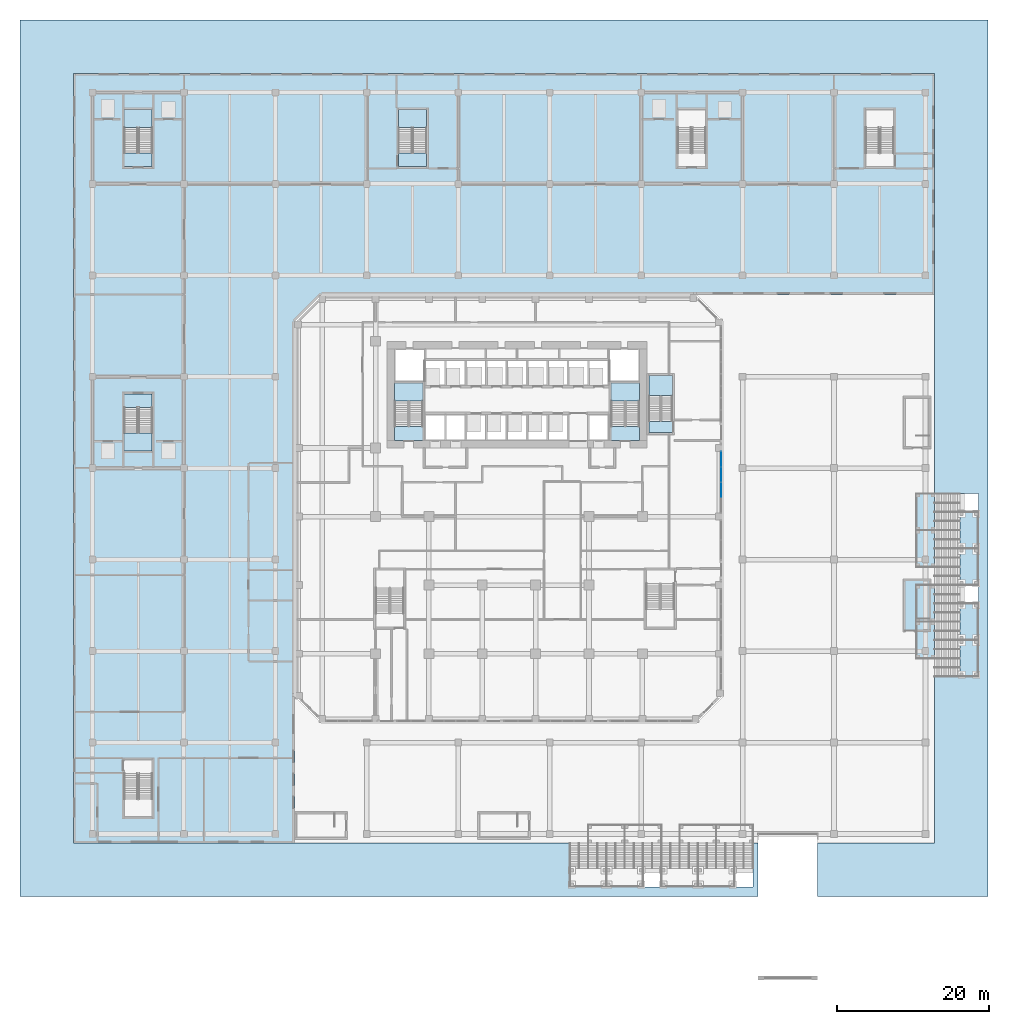
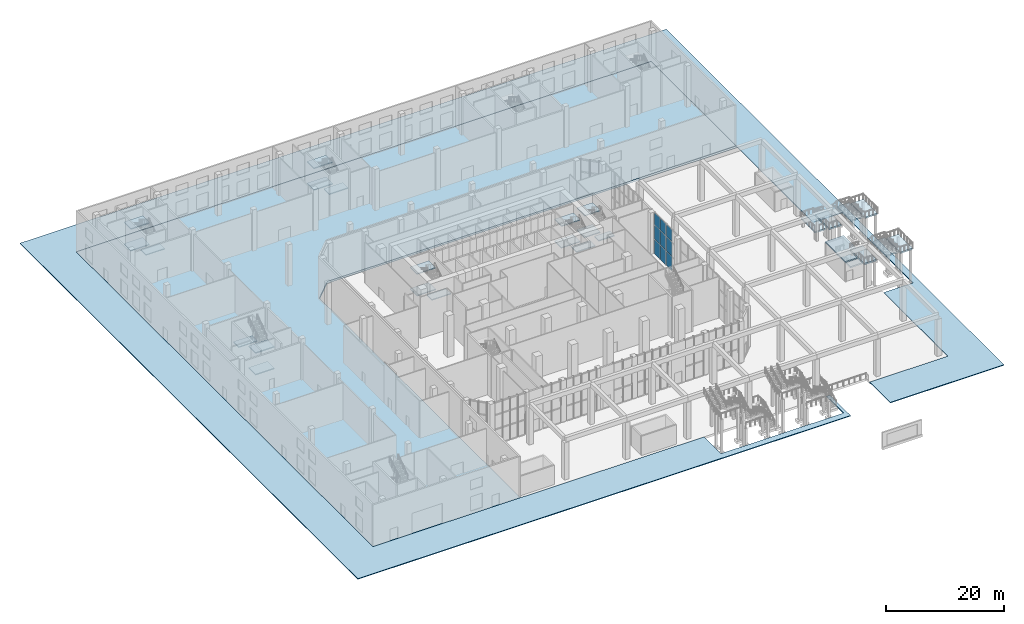
# One storey, part 16 of 43: 29 slabs, 9 plates, 10 elements without a shape of their own.
"""IFC4 building model written with IfcOpenShell, lengths in metres."""

from ifc_helpers import new_model, si_unit, direction, frame, origin, origin_2d, place, context, subcontext, project, spatial, polyline, rectangle, outline, extrude, source, transform, mapped, material, layer, layer_set, type_object, element, aggregate, save


model = new_model("IFC4")

# Units and contexts
model_context = context("Model", 3, precision=1e-05, world=origin(), true_north=direction((0.0, 1.0)))
body_context = subcontext(model_context, "Body", "Model", "MODEL_VIEW")
ifc_project = project(units=[si_unit("LENGTHUNIT", "METRE"), si_unit("AREAUNIT", "SQUARE_METRE"), si_unit("VOLUMEUNIT", "CUBIC_METRE"), si_unit("PLANEANGLEUNIT", "RADIAN"), si_unit("MASSUNIT", "GRAM", prefix="KILO")], contexts=[model_context])

# Site, building, storey
site_placement = place(None, origin())
site = spatial("IfcSite", under=ifc_project, at=site_placement, CompositionType="ELEMENT")
building_placement = place(site_placement, origin())
building = spatial("IfcBuilding", under=site, at=building_placement, Name="Kilnfold Tower and Market Hall", CompositionType="ELEMENT")
storey_placement = place(building_placement, origin())
storey = spatial("IfcBuildingStorey", under=building, at=storey_placement, Name="L00", CompositionType="ELEMENT", Elevation=0.0)

# Slab
ifc_material_1 = material(Name="Concrete C40/50", Category="concrete")
ifc_layer_1 = layer(ifc_material_1, 0.409912109375)
ifc_layer_set_1 = layer_set([ifc_layer_1], Name="Concrete C40/50")
slab_type_1 = type_object("IfcSlabType", Name="HALL SLAB 410", PredefinedType="FLOOR", material=ifc_layer_set_1)
shared_shape_1 = source(origin(), body_context, "Body", "SweptSolid", [
    extrude(outline(polyline([(-28.14990234375, -43.85009765625), (-57.14990234375, -43.85009765625), (-57.14990234375, 57.14990234375), (55.85009765625, 57.14990234375), (55.85009765625, 28.14990234375), (24.56201171875, 28.14990234375), (-24.56201171875, 28.14990234375), (-28.14990234375, 24.56201171875), (-28.14990234375, -24.56201171875), (-28.14990234375, -43.85009765625)])), origin(), (0.0, 0.0, 1.0), 0.409912109375),
])
slab_1_placement = place(storey_placement, frame((0.0, 0.0, -0.409912109375)))
element("IfcSlab", 1, at=slab_1_placement, inside=storey, type_object=slab_type_1, Name="Floor slab L00", PredefinedType="FLOOR", context=body_context, shape_type="MappedRepresentation", body=[
    mapped(shared_shape_1, transform((0.0, 0.0, 0.0))),
])

# Stair, slabs
ifc_material_2 = material(Name="Concrete C40/50", Category="concrete")
stair_type_1 = type_object("IfcStairType", Name="GARDEN STAIR 2400", PredefinedType="USERDEFINED", material=ifc_material_2)
stair_1_placement = place(storey_placement, origin())
stair_1 = element("IfcStair", 2, at=stair_1_placement, inside=storey, type_object=stair_type_1, Name="Garden stair GS-E1", ObjectType="GARDEN STAIR", PredefinedType="USERDEFINED")
ifc_material_3 = material(Name="Concrete C40/50", Category="concrete")
ifc_layer_2 = layer(ifc_material_3, 0.300048828125)
ifc_layer_set_2 = layer_set([ifc_layer_2], Name="Concrete C40/50")
slab_type_2 = type_object("IfcSlabType", Name="GARDEN STAIR LANDING 300", PredefinedType="LANDING", material=ifc_layer_set_2)
shared_shape_2 = source(origin(), body_context, "Body", "SweptSolid", [
    extrude(outline(polyline([(59.14990234375, -22.0), (59.14990234375, -17.199951171875), (61.550048828125, -17.199951171875), (61.550048828125, -22.0), (59.14990234375, -22.0)])), origin(), (0.0, 0.0, 1.0), 0.300048828125),
])
slab_2_placement = place(storey_placement, frame((0.0, 0.0, 6.89990234375)))
slab_2 = element("IfcSlab", 3, at=slab_2_placement, type_object=slab_type_2, Name="GS-E1 landing 1", PredefinedType="LANDING", context=body_context, shape_type="MappedRepresentation", body=[
    mapped(shared_shape_2, transform((0.0, 0.0, 0.0))),
])
shared_shape_3 = source(origin(), body_context, "Body", "SweptSolid", [
    extrude(outline(polyline([(53.449951171875, -19.60009765625), (53.449951171875, -14.800048828125), (55.85009765625, -14.800048828125), (55.85009765625, -19.60009765625), (53.449951171875, -19.60009765625)])), origin(), (0.0, 0.0, 1.0), 0.2998046875),
])
slab_3_placement = place(storey_placement, frame((0.0, 0.0, 5.10009765625)))
slab_3 = element("IfcSlab", 4, at=slab_3_placement, type_object=slab_type_2, Name="GS-E1 landing 2", PredefinedType="LANDING", context=body_context, shape_type="MappedRepresentation", body=[
    mapped(shared_shape_3, transform((0.0, 0.0, 0.0))),
])
shared_shape_4 = source(origin(), body_context, "Body", "SweptSolid", [
    extrude(outline(polyline([(59.14990234375, -17.199951171875), (59.14990234375, -12.39990234375), (61.550048828125, -12.39990234375), (61.550048828125, -17.199951171875), (59.14990234375, -17.199951171875)])), origin(), (0.0, 0.0, 1.0), 0.300048828125),
])
slab_4_placement = place(storey_placement, frame((0.0, 0.0, 3.300048828125)))
slab_4 = element("IfcSlab", 5, at=slab_4_placement, type_object=slab_type_2, Name="GS-E1 landing 3", PredefinedType="LANDING", context=body_context, shape_type="MappedRepresentation", body=[
    mapped(shared_shape_4, transform((0.0, 0.0, 0.0))),
])
shared_shape_5 = source(origin(), body_context, "Body", "SweptSolid", [
    extrude(outline(polyline([(53.449951171875, -14.800048828125), (53.449951171875, -10.0), (55.85009765625, -10.0), (55.85009765625, -14.800048828125), (53.449951171875, -14.800048828125)])), origin(), (0.0, 0.0, 1.0), 0.300048828125),
])
slab_5_placement = place(storey_placement, frame((0.0, 0.0, 1.5)))
slab_5 = element("IfcSlab", 6, at=slab_5_placement, type_object=slab_type_2, Name="GS-E1 landing 4", PredefinedType="LANDING", context=body_context, shape_type="MappedRepresentation", body=[
    mapped(shared_shape_5, transform((0.0, 0.0, 0.0))),
])
aggregate(stair_1, [slab_2, slab_3, slab_4, slab_5])

stair_2_placement = place(storey_placement, origin())
stair_2 = element("IfcStair", 7, at=stair_2_placement, inside=storey, type_object=stair_type_1, Name="Garden stair GS-E2", ObjectType="GARDEN STAIR", PredefinedType="USERDEFINED")
shared_shape_6 = source(origin(), body_context, "Body", "SweptSolid", [
    extrude(outline(polyline([(59.14990234375, -10.0), (59.14990234375, -5.199951171875), (61.550048828125, -5.199951171875), (61.550048828125, -10.0), (59.14990234375, -10.0)])), origin(), (0.0, 0.0, 1.0), 0.300048828125),
])
slab_6_placement = place(storey_placement, frame((0.0, 0.0, 6.89990234375)))
slab_6 = element("IfcSlab", 8, at=slab_6_placement, type_object=slab_type_2, Name="GS-E2 landing 1", PredefinedType="LANDING", context=body_context, shape_type="MappedRepresentation", body=[
    mapped(shared_shape_6, transform((0.0, 0.0, 0.0))),
])
shared_shape_7 = source(origin(), body_context, "Body", "SweptSolid", [
    extrude(outline(polyline([(53.449951171875, -7.60009765625), (53.449951171875, -2.800048828125), (55.85009765625, -2.800048828125), (55.85009765625, -7.60009765625), (53.449951171875, -7.60009765625)])), origin(), (0.0, 0.0, 1.0), 0.2998046875),
])
slab_7_placement = place(storey_placement, frame((0.0, 0.0, 5.10009765625)))
slab_7 = element("IfcSlab", 9, at=slab_7_placement, type_object=slab_type_2, Name="GS-E2 landing 2", PredefinedType="LANDING", context=body_context, shape_type="MappedRepresentation", body=[
    mapped(shared_shape_7, transform((0.0, 0.0, 0.0))),
])
shared_shape_8 = source(origin(), body_context, "Body", "SweptSolid", [
    extrude(outline(polyline([(59.14990234375, -5.199951171875), (59.14990234375, -0.39990234375), (61.550048828125, -0.39990234375), (61.550048828125, -5.199951171875), (59.14990234375, -5.199951171875)])), origin(), (0.0, 0.0, 1.0), 0.300048828125),
])
slab_8_placement = place(storey_placement, frame((0.0, 0.0, 3.300048828125)))
slab_8 = element("IfcSlab", 10, at=slab_8_placement, type_object=slab_type_2, Name="GS-E2 landing 3", PredefinedType="LANDING", context=body_context, shape_type="MappedRepresentation", body=[
    mapped(shared_shape_8, transform((0.0, 0.0, 0.0))),
])
shared_shape_9 = source(origin(), body_context, "Body", "SweptSolid", [
    extrude(outline(polyline([(53.449951171875, -2.800048828125), (53.449951171875, 2.0), (55.85009765625, 2.0), (55.85009765625, -2.800048828125), (53.449951171875, -2.800048828125)])), origin(), (0.0, 0.0, 1.0), 0.300048828125),
])
slab_9_placement = place(storey_placement, frame((0.0, 0.0, 1.5)))
slab_9 = element("IfcSlab", 11, at=slab_9_placement, type_object=slab_type_2, Name="GS-E2 landing 4", PredefinedType="LANDING", context=body_context, shape_type="MappedRepresentation", body=[
    mapped(shared_shape_9, transform((0.0, 0.0, 0.0))),
])
aggregate(stair_2, [slab_6, slab_7, slab_8, slab_9])

# Curtain wall, plate
ifc_material_4 = material(Name="Aluminium and double glazing", Category="aluminium")
curtain_wall_type = type_object("IfcCurtainWallType", Name="CW BASE PODIUM GLAZING", PredefinedType="NOTDEFINED", material=ifc_material_4)
curtain_wall_1_placement = place(storey_placement, origin())
curtain_wall_1 = element("IfcCurtainWall", 12, at=curtain_wall_1_placement, inside=storey, type_object=curtain_wall_type, Name="Curtain wall CW4 L00 E", PredefinedType="NOTDEFINED")
ifc_material_5 = material(Name="Double glazed unit")
ifc_layer_3 = layer(ifc_material_5, 0.035888671875)
ifc_layer_set_3 = layer_set([ifc_layer_3], Name="Double glazed unit")
plate_type = type_object("IfcPlateType", Name="GLAZING PANEL 36", PredefinedType="CURTAIN_PANEL", material=ifc_layer_set_3)
shared_shape_10 = source(origin(), body_context, "Body", "SweptSolid", [
    extrude(rectangle(XDim=1.919921875, YDim=0.035888671875, at=origin_2d()), origin(), (0.0, 0.0, 1.0), 2.965087890625),
])
plate_1_placement = place(storey_placement, frame((27.85009765625, 2.469970703125, 0.0), z_axis=(0.0, 0.0, 1.0), x_axis=(0.0, 1.0, 0.0)))
plate_1 = element("IfcPlate", 13, at=plate_1_placement, type_object=plate_type, Name="CW4 panel 2.1", PredefinedType="CURTAIN_PANEL", context=body_context, shape_type="MappedRepresentation", body=[
    mapped(shared_shape_10, transform((0.0, 0.0, 0.0))),
])

# Curtain wall, plates
curtain_wall_2_placement = place(storey_placement, origin())
curtain_wall_2 = element("IfcCurtainWall", 14, at=curtain_wall_2_placement, inside=storey, type_object=curtain_wall_type, Name="Curtain wall CW4 L00 E", PredefinedType="NOTDEFINED")
plate_2_placement = place(storey_placement, frame((27.85009765625, 4.530029296875, 0.0), z_axis=(0.0, 0.0, 1.0), x_axis=(0.0, 1.0, 0.0)))
plate_2 = element("IfcPlate", 15, at=plate_2_placement, type_object=plate_type, Name="CW4 panel 1.1", PredefinedType="CURTAIN_PANEL", context=body_context, shape_type="MappedRepresentation", body=[
    mapped(shared_shape_10, transform((0.0, 0.0, 0.0))),
])
plate_3_placement = place(storey_placement, frame((27.85009765625, 6.52001953125, 0.0), z_axis=(0.0, 0.0, 1.0), x_axis=(0.0, 1.0, 0.0)))
plate_3 = element("IfcPlate", 16, at=plate_3_placement, type_object=plate_type, Name="CW4 panel 2.1", PredefinedType="CURTAIN_PANEL", context=body_context, shape_type="MappedRepresentation", body=[
    mapped(shared_shape_10, transform((0.0, 0.0, 0.0))),
])

# Plate
shared_shape_11 = source(origin(), body_context, "Body", "SweptSolid", [
    extrude(rectangle(XDim=1.919921875, YDim=0.035888671875, at=origin_2d()), origin(), (0.0, 0.0, 1.0), 2.929931640625),
])
plate_4_placement = place(storey_placement, frame((27.85009765625, 2.469970703125, 3.03515625), z_axis=(0.0, 0.0, 1.0), x_axis=(0.0, 1.0, 0.0)))
plate_4 = element("IfcPlate", 17, at=plate_4_placement, type_object=plate_type, Name="CW4 panel 2.2", PredefinedType="CURTAIN_PANEL", context=body_context, shape_type="MappedRepresentation", body=[
    mapped(shared_shape_11, transform((0.0, 0.0, 0.0))),
])

plate_5_placement = place(storey_placement, frame((27.85009765625, 4.530029296875, 3.03515625), z_axis=(0.0, 0.0, 1.0), x_axis=(0.0, 1.0, 0.0)))
plate_5 = element("IfcPlate", 18, at=plate_5_placement, type_object=plate_type, Name="CW4 panel 1.2", PredefinedType="CURTAIN_PANEL", context=body_context, shape_type="MappedRepresentation", body=[
    mapped(shared_shape_11, transform((0.0, 0.0, 0.0))),
])

plate_6_placement = place(storey_placement, frame((27.85009765625, 6.52001953125, 3.03515625), z_axis=(0.0, 0.0, 1.0), x_axis=(0.0, 1.0, 0.0)))
plate_6 = element("IfcPlate", 19, at=plate_6_placement, type_object=plate_type, Name="CW4 panel 2.2", PredefinedType="CURTAIN_PANEL", context=body_context, shape_type="MappedRepresentation", body=[
    mapped(shared_shape_11, transform((0.0, 0.0, 0.0))),
])

shared_shape_12 = source(origin(), body_context, "Body", "SweptSolid", [
    extrude(rectangle(XDim=1.919921875, YDim=0.035888671875, at=origin_2d()), origin(), (0.0, 0.0, 1.0), 2.4951171875),
])
plate_7_placement = place(storey_placement, frame((27.85009765625, 2.469970703125, 6.034912109375), z_axis=(0.0, 0.0, 1.0), x_axis=(0.0, 1.0, 0.0)))
plate_7 = element("IfcPlate", 20, at=plate_7_placement, type_object=plate_type, Name="CW4 panel 2.3", PredefinedType="CURTAIN_PANEL", context=body_context, shape_type="MappedRepresentation", body=[
    mapped(shared_shape_12, transform((0.0, 0.0, 0.0))),
])

aggregate(curtain_wall_1, [plate_1, plate_4, plate_7])

plate_8_placement = place(storey_placement, frame((27.85009765625, 4.530029296875, 6.034912109375), z_axis=(0.0, 0.0, 1.0), x_axis=(0.0, 1.0, 0.0)))
plate_8 = element("IfcPlate", 21, at=plate_8_placement, type_object=plate_type, Name="CW4 panel 1.3", PredefinedType="CURTAIN_PANEL", context=body_context, shape_type="MappedRepresentation", body=[
    mapped(shared_shape_12, transform((0.0, 0.0, 0.0))),
])

plate_9_placement = place(storey_placement, frame((27.85009765625, 6.52001953125, 6.034912109375), z_axis=(0.0, 0.0, 1.0), x_axis=(0.0, 1.0, 0.0)))
plate_9 = element("IfcPlate", 22, at=plate_9_placement, type_object=plate_type, Name="CW4 panel 2.3", PredefinedType="CURTAIN_PANEL", context=body_context, shape_type="MappedRepresentation", body=[
    mapped(shared_shape_12, transform((0.0, 0.0, 0.0))),
])

aggregate(curtain_wall_2, [plate_2, plate_5, plate_8, plate_3, plate_6, plate_9])

# Slab
ifc_material_6 = material(Name="Concrete paving C35/45", Category="concrete")
ifc_layer_4 = layer(ifc_material_6, 0.14990234375)
ifc_layer_set_4 = layer_set([ifc_layer_4], Name="Concrete paving C35/45")
slab_type_3 = type_object("IfcSlabType", Name="PLAZA PAVING 150", PredefinedType="USERDEFINED", material=ifc_layer_set_4)
shared_shape_13 = source(origin(), body_context, "Body", "SweptSolid", [
    extrude(outline(polyline([(-64.14990234375, -50.85009765625), (32.699951171875, -50.85009765625), (32.699951171875, -43.85009765625), (32.050048828125, -43.85009765625), (32.050048828125, -49.550048828125), (32.0498046875, -49.554931640625), (32.049072265625, -49.559814453125), (32.0478515625, -49.564453125), (32.046142578125, -49.569091796875), (32.044189453125, -49.573486328125), (32.04150390625, -49.577880859375), (32.038818359375, -49.581787109375), (32.035400390625, -49.58544921875), (32.03173828125, -49.588623046875), (32.02783203125, -49.591552734375), (32.023681640625, -49.593994140625), (32.01904296875, -49.59619140625), (32.014404296875, -49.597900390625), (32.009765625, -49.59912109375), (32.0048828125, -49.599853515625), (32.0, -49.60009765625), (20.0, -49.60009765625), (8.0, -49.60009765625), (7.9951171875, -49.599853515625), (7.990234375, -49.59912109375), (7.985595703125, -49.597900390625), (7.98095703125, -49.59619140625), (7.976318359375, -49.593994140625), (7.97216796875, -49.591552734375), (7.96826171875, -49.588623046875), (7.964599609375, -49.58544921875), (7.961181640625, -49.581787109375), (7.95849609375, -49.577880859375), (7.955810546875, -49.573486328125), (7.953857421875, -49.569091796875), (7.9521484375, -49.564453125), (7.950927734375, -49.559814453125), (7.9501953125, -49.554931640625), (7.949951171875, -49.550048828125), (7.949951171875, -43.85009765625), (-57.14990234375, -43.85009765625), (-57.14990234375, 57.14990234375), (55.85009765625, 57.14990234375), (55.85009765625, 2.050048828125), (61.550048828125, 2.050048828125), (61.554931640625, 2.0498046875), (61.559814453125, 2.049072265625), (61.564453125, 2.0478515625), (61.569091796875, 2.046142578125), (61.573486328125, 2.044189453125), (61.577880859375, 2.04150390625), (61.581787109375, 2.038818359375), (61.58544921875, 2.035400390625), (61.588623046875, 2.03173828125), (61.591552734375, 2.02783203125), (61.593994140625, 2.023681640625), (61.59619140625, 2.01904296875), (61.597900390625, 2.014404296875), (61.59912109375, 2.009765625), (61.599853515625, 2.0048828125), (61.60009765625, 2.0), (61.60009765625, -10.0), (61.60009765625, -22.0), (61.599853515625, -22.0048828125), (61.59912109375, -22.009765625), (61.597900390625, -22.014404296875), (61.59619140625, -22.01904296875), (61.593994140625, -22.023681640625), (61.591552734375, -22.02783203125), (61.588623046875, -22.03173828125), (61.58544921875, -22.035400390625), (61.581787109375, -22.038818359375), (61.577880859375, -22.04150390625), (61.573486328125, -22.044189453125), (61.569091796875, -22.046142578125), (61.564453125, -22.0478515625), (61.559814453125, -22.049072265625), (61.554931640625, -22.0498046875), (61.550048828125, -22.050048828125), (55.85009765625, -22.050048828125), (55.85009765625, -43.85009765625), (40.5, -43.85009765625), (40.5, -50.85009765625), (62.85009765625, -50.85009765625), (62.85009765625, 64.14990234375), (-64.14990234375, 64.14990234375), (-64.14990234375, -50.85009765625)])), origin(), (0.0, 0.0, 1.0), 0.14990234375),
])
slab_10_placement = place(storey_placement, frame((0.0, 0.0, -0.14990234375)))
element("IfcSlab", 23, at=slab_10_placement, inside=storey, type_object=slab_type_3, Name="Plaza paving 1", ObjectType="PAVING", PredefinedType="USERDEFINED", context=body_context, shape_type="MappedRepresentation", body=[
    mapped(shared_shape_13, transform((0.0, 0.0, 0.0))),
])

# Stair, slabs
ifc_material_7 = material(Name="Concrete C40/50", Category="concrete")
stair_type_2 = type_object("IfcStairType", Name="CORE STAIR 1800", PredefinedType="HALF_TURN_STAIR", material=ifc_material_7)
stair_3_placement = place(storey_placement, origin())
stair_3 = element("IfcStair", 24, at=stair_3_placement, inside=storey, type_object=stair_type_2, Name="L00 ST1", PredefinedType="HALF_TURN_STAIR")
ifc_material_8 = material(Name="Concrete C40/50", Category="concrete")
ifc_layer_5 = layer(ifc_material_8, 0.199951171875)
ifc_layer_set_5 = layer_set([ifc_layer_5], Name="Concrete C40/50")
slab_type_4 = type_object("IfcSlabType", Name="CORE STAIR LANDING 200", PredefinedType="LANDING", material=ifc_layer_set_5)
shared_shape_14 = source(origin(), body_context, "Body", "SweptSolid", [
    extrude(outline(polyline([(-11.300048828125, 14.159912109375), (-11.300048828125, 16.5), (-15.0, 16.5), (-15.0, 14.159912109375), (-11.300048828125, 14.159912109375)])), origin(), (0.0, 0.0, 1.0), 0.199951171875),
])
slab_11_placement = place(storey_placement, frame((0.0, 0.0, 2.050048828125)))
slab_11 = element("IfcSlab", 25, at=slab_11_placement, type_object=slab_type_4, Name="ST1 landing 1", PredefinedType="LANDING", context=body_context, shape_type="MappedRepresentation", body=[
    mapped(shared_shape_14, transform((0.0, 0.0, 0.0))),
])
slab_12_placement = place(storey_placement, frame((0.0, 0.0, 6.550048828125)))
slab_12 = element("IfcSlab", 26, at=slab_12_placement, type_object=slab_type_4, Name="ST1 landing 3", PredefinedType="LANDING", context=body_context, shape_type="MappedRepresentation", body=[
    mapped(shared_shape_14, transform((0.0, 0.0, 0.0))),
])
shared_shape_15 = source(origin(), body_context, "Body", "SweptSolid", [
    extrude(outline(polyline([(-11.300048828125, 9.0), (-11.300048828125, 10.800048828125), (-15.0, 10.800048828125), (-15.0, 9.0), (-11.300048828125, 9.0)])), origin(), (0.0, 0.0, 1.0), 0.199951171875),
])
slab_13_placement = place(storey_placement, frame((0.0, 0.0, 4.300048828125)))
slab_13 = element("IfcSlab", 27, at=slab_13_placement, type_object=slab_type_4, Name="ST1 landing 2", PredefinedType="LANDING", context=body_context, shape_type="MappedRepresentation", body=[
    mapped(shared_shape_15, transform((0.0, 0.0, 0.0))),
])
aggregate(stair_3, [slab_11, slab_13, slab_12])

stair_4_placement = place(storey_placement, origin())
stair_4 = element("IfcStair", 28, at=stair_4_placement, inside=storey, type_object=stair_type_2, Name="L00 ST2", PredefinedType="HALF_TURN_STAIR")
shared_shape_16 = source(origin(), body_context, "Body", "SweptSolid", [
    extrude(outline(polyline([(17.10009765625, 14.159912109375), (17.10009765625, 16.5), (13.39990234375, 16.5), (13.39990234375, 14.159912109375), (17.10009765625, 14.159912109375)])), origin(), (0.0, 0.0, 1.0), 0.199951171875),
])
slab_14_placement = place(storey_placement, frame((0.0, 0.0, 2.050048828125)))
slab_14 = element("IfcSlab", 29, at=slab_14_placement, type_object=slab_type_4, Name="ST2 landing 1", PredefinedType="LANDING", context=body_context, shape_type="MappedRepresentation", body=[
    mapped(shared_shape_16, transform((0.0, 0.0, 0.0))),
])
slab_15_placement = place(storey_placement, frame((0.0, 0.0, 6.550048828125)))
slab_15 = element("IfcSlab", 30, at=slab_15_placement, type_object=slab_type_4, Name="ST2 landing 3", PredefinedType="LANDING", context=body_context, shape_type="MappedRepresentation", body=[
    mapped(shared_shape_16, transform((0.0, 0.0, 0.0))),
])
shared_shape_17 = source(origin(), body_context, "Body", "SweptSolid", [
    extrude(outline(polyline([(17.10009765625, 9.0), (17.10009765625, 10.800048828125), (13.39990234375, 10.800048828125), (13.39990234375, 9.0), (17.10009765625, 9.0)])), origin(), (0.0, 0.0, 1.0), 0.199951171875),
])
slab_16_placement = place(storey_placement, frame((0.0, 0.0, 4.300048828125)))
slab_16 = element("IfcSlab", 31, at=slab_16_placement, type_object=slab_type_4, Name="ST2 landing 2", PredefinedType="LANDING", context=body_context, shape_type="MappedRepresentation", body=[
    mapped(shared_shape_17, transform((0.0, 0.0, 0.0))),
])
aggregate(stair_4, [slab_14, slab_16, slab_15])

ifc_material_9 = material(Name="Concrete C40/50", Category="concrete")
stair_type_3 = type_object("IfcStairType", Name="CORE STAIR 1500", PredefinedType="HALF_TURN_STAIR", material=ifc_material_9)
stair_5_placement = place(storey_placement, origin())
stair_5 = element("IfcStair", 32, at=stair_5_placement, inside=storey, type_object=stair_type_3, Name="L00 ST5", PredefinedType="HALF_TURN_STAIR")
shared_shape_18 = source(origin(), body_context, "Body", "SweptSolid", [
    extrude(outline(polyline([(21.449951171875, 14.860107421875), (21.449951171875, 17.5), (18.35009765625, 17.5), (18.35009765625, 14.860107421875), (21.449951171875, 14.860107421875)])), origin(), (0.0, 0.0, 1.0), 0.199951171875),
])
slab_17_placement = place(storey_placement, frame((0.0, 0.0, 2.050048828125)))
slab_17 = element("IfcSlab", 33, at=slab_17_placement, type_object=slab_type_4, Name="ST5 landing 1", PredefinedType="LANDING", context=body_context, shape_type="MappedRepresentation", body=[
    mapped(shared_shape_18, transform((0.0, 0.0, 0.0))),
])
slab_18_placement = place(storey_placement, frame((0.0, 0.0, 6.550048828125)))
slab_18 = element("IfcSlab", 34, at=slab_18_placement, type_object=slab_type_4, Name="ST5 landing 3", PredefinedType="LANDING", context=body_context, shape_type="MappedRepresentation", body=[
    mapped(shared_shape_18, transform((0.0, 0.0, 0.0))),
])
shared_shape_19 = source(origin(), body_context, "Body", "SweptSolid", [
    extrude(outline(polyline([(21.449951171875, 10.0), (21.449951171875, 11.5), (18.35009765625, 11.5), (18.35009765625, 10.0), (21.449951171875, 10.0)])), origin(), (0.0, 0.0, 1.0), 0.199951171875),
])
slab_19_placement = place(storey_placement, frame((0.0, 0.0, 4.300048828125)))
slab_19 = element("IfcSlab", 35, at=slab_19_placement, type_object=slab_type_4, Name="ST5 landing 2", PredefinedType="LANDING", context=body_context, shape_type="MappedRepresentation", body=[
    mapped(shared_shape_19, transform((0.0, 0.0, 0.0))),
])
aggregate(stair_5, [slab_17, slab_19, slab_18])

ifc_material_10 = material(Name="Concrete C40/50", Category="concrete")
stair_type_4 = type_object("IfcStairType", Name="HALL STAIR", PredefinedType="HALF_TURN_STAIR", material=ifc_material_10)
stair_6_placement = place(storey_placement, origin())
stair_6 = element("IfcStair", 36, at=stair_6_placement, inside=storey, type_object=stair_type_4, Name="L00 MS2", PredefinedType="HALF_TURN_STAIR")
ifc_material_11 = material(Name="Concrete C40/50", Category="concrete")
ifc_layer_6 = layer(ifc_material_11, 0.199951171875)
ifc_layer_set_6 = layer_set([ifc_layer_6], Name="Concrete C40/50")
slab_type_5 = type_object("IfcSlabType", Name="HALL STAIR LANDING", PredefinedType="LANDING", material=ifc_layer_set_6)
shared_shape_20 = source(origin(), body_context, "Body", "SweptSolid", [
    extrude(outline(polyline([(-50.5, 9.93994140625), (-50.5, 7.60009765625), (-46.800048828125, 7.60009765625), (-46.800048828125, 9.93994140625), (-50.5, 9.93994140625)])), origin(), (0.0, 0.0, 1.0), 0.199951171875),
])
slab_20_placement = place(storey_placement, frame((0.0, 0.0, 2.050048828125)))
slab_20 = element("IfcSlab", 37, at=slab_20_placement, type_object=slab_type_5, Name="MS2 landing 1", PredefinedType="LANDING", context=body_context, shape_type="MappedRepresentation", body=[
    mapped(shared_shape_20, transform((0.0, 0.0, 0.0))),
])
slab_21_placement = place(storey_placement, frame((0.0, 0.0, 6.550048828125)))
slab_21 = element("IfcSlab", 38, at=slab_21_placement, type_object=slab_type_5, Name="MS2 landing 3", PredefinedType="LANDING", context=body_context, shape_type="MappedRepresentation", body=[
    mapped(shared_shape_20, transform((0.0, 0.0, 0.0))),
])
shared_shape_21 = source(origin(), body_context, "Body", "SweptSolid", [
    extrude(outline(polyline([(-50.5, 15.10009765625), (-50.5, 13.300048828125), (-46.800048828125, 13.300048828125), (-46.800048828125, 15.10009765625), (-50.5, 15.10009765625)])), origin(), (0.0, 0.0, 1.0), 0.199951171875),
])
slab_22_placement = place(storey_placement, frame((0.0, 0.0, 4.300048828125)))
slab_22 = element("IfcSlab", 39, at=slab_22_placement, type_object=slab_type_5, Name="MS2 landing 2", PredefinedType="LANDING", context=body_context, shape_type="MappedRepresentation", body=[
    mapped(shared_shape_21, transform((0.0, 0.0, 0.0))),
])
aggregate(stair_6, [slab_20, slab_22, slab_21])

stair_7_placement = place(storey_placement, origin())
stair_7 = element("IfcStair", 40, at=stair_7_placement, inside=storey, type_object=stair_type_4, Name="L00 MS3", PredefinedType="HALF_TURN_STAIR")
shared_shape_22 = source(origin(), body_context, "Body", "SweptSolid", [
    extrude(outline(polyline([(-46.800048828125, 50.06005859375), (-46.800048828125, 52.39990234375), (-50.5, 52.39990234375), (-50.5, 50.06005859375), (-46.800048828125, 50.06005859375)])), origin(), (0.0, 0.0, 1.0), 0.199951171875),
])
slab_23_placement = place(storey_placement, frame((0.0, 0.0, 2.050048828125)))
slab_23 = element("IfcSlab", 41, at=slab_23_placement, type_object=slab_type_5, Name="MS3 landing 1", PredefinedType="LANDING", context=body_context, shape_type="MappedRepresentation", body=[
    mapped(shared_shape_22, transform((0.0, 0.0, 0.0))),
])
slab_24_placement = place(storey_placement, frame((0.0, 0.0, 6.550048828125)))
slab_24 = element("IfcSlab", 42, at=slab_24_placement, type_object=slab_type_5, Name="MS3 landing 3", PredefinedType="LANDING", context=body_context, shape_type="MappedRepresentation", body=[
    mapped(shared_shape_22, transform((0.0, 0.0, 0.0))),
])
shared_shape_23 = source(origin(), body_context, "Body", "SweptSolid", [
    extrude(outline(polyline([(-46.800048828125, 44.89990234375), (-46.800048828125, 46.699951171875), (-50.5, 46.699951171875), (-50.5, 44.89990234375), (-46.800048828125, 44.89990234375)])), origin(), (0.0, 0.0, 1.0), 0.199951171875),
])
slab_25_placement = place(storey_placement, frame((0.0, 0.0, 4.300048828125)))
slab_25 = element("IfcSlab", 43, at=slab_25_placement, type_object=slab_type_5, Name="MS3 landing 2", PredefinedType="LANDING", context=body_context, shape_type="MappedRepresentation", body=[
    mapped(shared_shape_23, transform((0.0, 0.0, 0.0))),
])
aggregate(stair_7, [slab_23, slab_25, slab_24])

stair_8_placement = place(storey_placement, origin())
stair_8 = element("IfcStair", 44, at=stair_8_placement, inside=storey, type_object=stair_type_4, Name="L00 MS4", PredefinedType="HALF_TURN_STAIR")
shared_shape_24 = source(origin(), body_context, "Body", "SweptSolid", [
    extrude(outline(polyline([(-10.800048828125, 50.06005859375), (-10.800048828125, 52.39990234375), (-14.5, 52.39990234375), (-14.5, 50.06005859375), (-10.800048828125, 50.06005859375)])), origin(), (0.0, 0.0, 1.0), 0.199951171875),
])
slab_26_placement = place(storey_placement, frame((0.0, 0.0, 2.050048828125)))
slab_26 = element("IfcSlab", 45, at=slab_26_placement, type_object=slab_type_5, Name="MS4 landing 1", PredefinedType="LANDING", context=body_context, shape_type="MappedRepresentation", body=[
    mapped(shared_shape_24, transform((0.0, 0.0, 0.0))),
])
slab_27_placement = place(storey_placement, frame((0.0, 0.0, 6.550048828125)))
slab_27 = element("IfcSlab", 46, at=slab_27_placement, type_object=slab_type_5, Name="MS4 landing 3", PredefinedType="LANDING", context=body_context, shape_type="MappedRepresentation", body=[
    mapped(shared_shape_24, transform((0.0, 0.0, 0.0))),
])
shared_shape_25 = source(origin(), body_context, "Body", "SweptSolid", [
    extrude(outline(polyline([(-10.800048828125, 44.89990234375), (-10.800048828125, 46.699951171875), (-14.5, 46.699951171875), (-14.5, 44.89990234375), (-10.800048828125, 44.89990234375)])), origin(), (0.0, 0.0, 1.0), 0.199951171875),
])
slab_28_placement = place(storey_placement, frame((0.0, 0.0, 4.300048828125)))
slab_28 = element("IfcSlab", 47, at=slab_28_placement, type_object=slab_type_5, Name="MS4 landing 2", PredefinedType="LANDING", context=body_context, shape_type="MappedRepresentation", body=[
    mapped(shared_shape_25, transform((0.0, 0.0, 0.0))),
])
aggregate(stair_8, [slab_26, slab_28, slab_27])

# Slab
ifc_material_12 = material(Name="Concrete C40/50", Category="concrete")
ifc_layer_7 = layer(ifc_material_12, 0.25)
ifc_layer_set_7 = layer_set([ifc_layer_7], Name="Concrete C40/50")
slab_type_6 = type_object("IfcSlabType", Name="CAR PARK STAIR HEAD SLAB 250", PredefinedType="ROOF", material=ifc_layer_set_7)
shared_shape_26 = source(origin(), body_context, "Body", "SweptSolid", [
    extrude(outline(polyline([(51.75, -16.10009765625), (55.35009765625, -16.10009765625), (55.35009765625, -9.199951171875), (51.75, -9.199951171875), (51.75, -16.10009765625)])), origin(), (0.0, 0.0, 1.0), 0.25),
])
slab_29_placement = place(storey_placement, frame((0.0, 0.0, 4.0)))
element("IfcSlab", 48, at=slab_29_placement, inside=storey, type_object=slab_type_6, Name="Stair CS3 head slab", PredefinedType="ROOF", context=body_context, shape_type="MappedRepresentation", body=[
    mapped(shared_shape_26, transform((0.0, 0.0, 0.0))),
])

save(model, "model.ifc")
